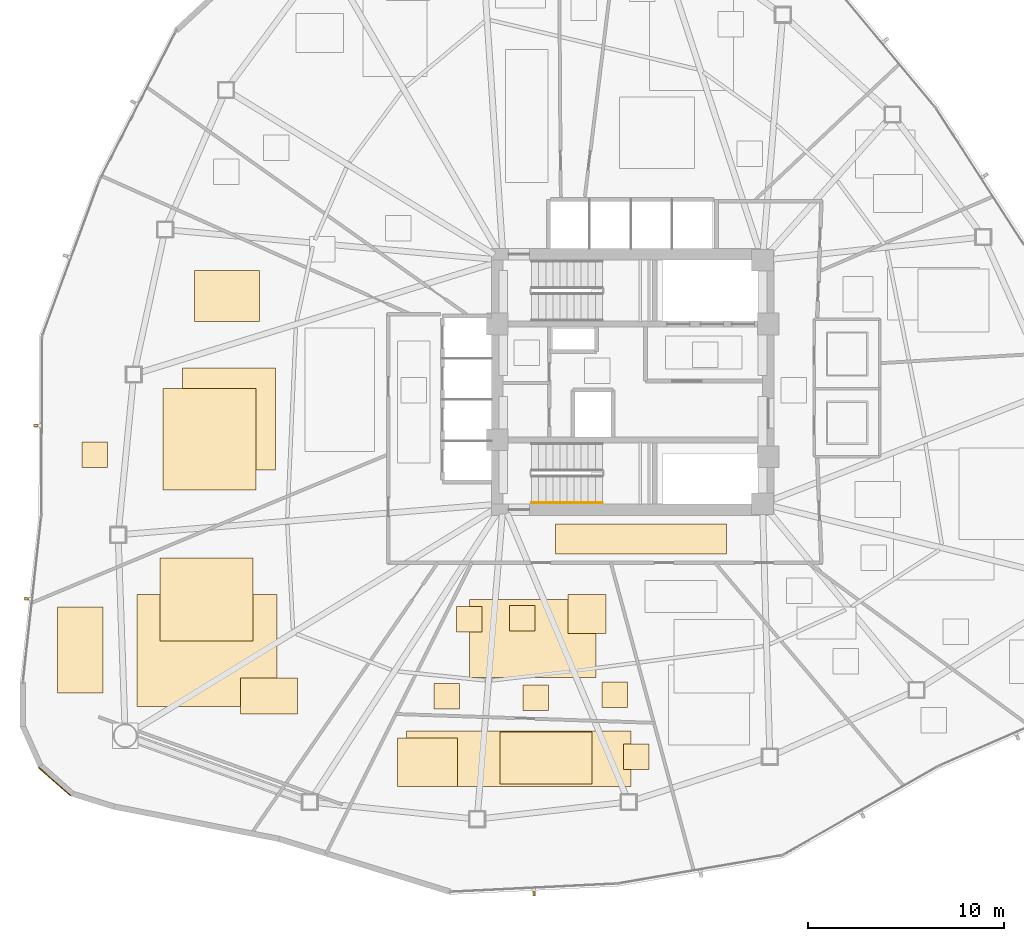
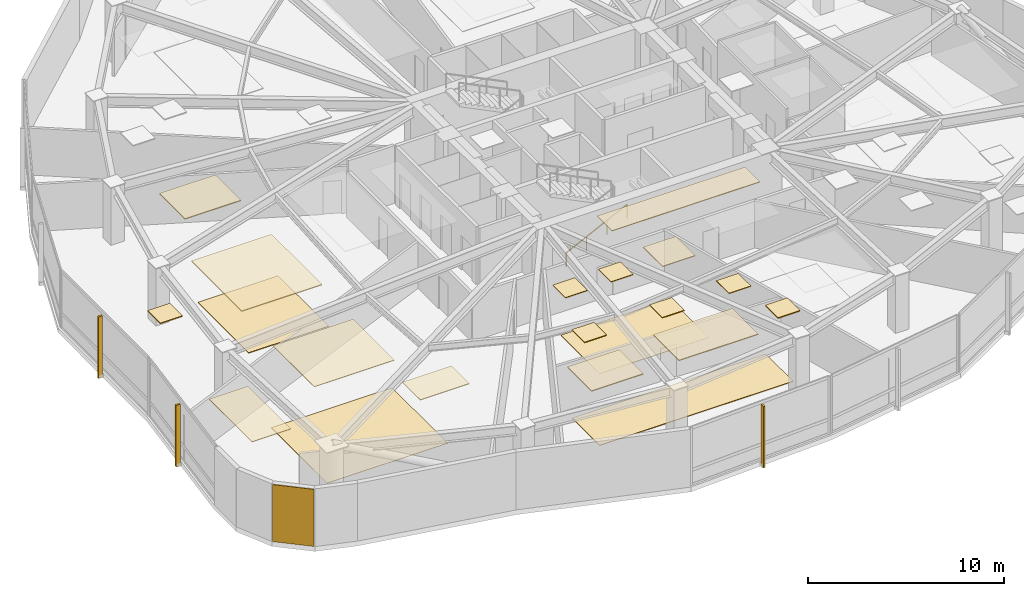
# One storey, part 15 of 18: 21 coverings, 3 shading devices, 1 railing.
"""IFC4 building model written with IfcOpenShell, lengths in metres."""

from ifc_helpers import new_model, si_unit, direction, frame, origin, origin_2d, place, context, subcontext, project, spatial, polyline, rectangle, outline, extrude, source, transform, mapped, material, layer, layer_set, type_object, type_shapes, element, save


model = new_model("IFC4")

# Units and contexts
model_context = context("Model", 3, precision=1e-05, world=origin(), true_north=direction((0.0, 1.0)))
body_context = subcontext(model_context, "Body", "Model", "MODEL_VIEW")
ifc_project = project(units=[si_unit("LENGTHUNIT", "METRE"), si_unit("AREAUNIT", "SQUARE_METRE"), si_unit("VOLUMEUNIT", "CUBIC_METRE"), si_unit("PLANEANGLEUNIT", "RADIAN"), si_unit("MASSUNIT", "GRAM", prefix="KILO")], contexts=[model_context])

# Site, building, storey
site_placement = place(None, origin())
site = spatial("IfcSite", under=ifc_project, at=site_placement, CompositionType="ELEMENT")
building_placement = place(site_placement, origin())
building = spatial("IfcBuilding", under=site, at=building_placement, Name="Tavelor Broadcast Tower", CompositionType="ELEMENT")
storey_placement = place(building_placement, frame((0.0, 0.0, 51.0)))
storey = spatial("IfcBuildingStorey", under=building, at=storey_placement, Name="L11", CompositionType="ELEMENT", Elevation=51.0)

# Coverings
ifc_material_1 = material(Name="Copper-Bronze Anodized Aluminium", Category="aluminium")
ifc_layer_1 = layer(ifc_material_1, 0.044921875)
ifc_layer_set_1 = layer_set([ifc_layer_1], Name="Copper-Bronze Anodized Aluminium")
covering_type_1 = type_object("IfcCoveringType", Name="Anodised Bronze Linear Slatted Concourse Ceiling 45 mm", PredefinedType="CEILING", material=ifc_layer_set_1)
covering_1_placement = place(storey_placement, frame((0.0, 0.0, 3.554931640625)))
element("IfcCovering", 1, at=covering_1_placement, inside=storey, type_object=covering_type_1, Name="L11 Suspended Acoustic Ceiling 0392", PredefinedType="CEILING", context=body_context, shape_type="SweptSolid", body=[
    extrude(outline(polyline([(46.05078125, 36.23828125), (54.776611328125, 36.23828125), (54.776611328125, 37.76171875), (46.05078125, 37.76171875), (46.05078125, 36.23828125)])), origin(), (0.0, 0.0, 1.0), 0.045166015625),
])
ifc_layer_2 = layer(ifc_material_1, 0.050048828125)
ifc_layer_set_2 = layer_set([ifc_layer_2], Name="Copper-Bronze Anodized Aluminium")
covering_type_2 = type_object("IfcCoveringType", Name="Champagne-Bronze Corner Pier Metal Cladding 50 mm", PredefinedType="CLADDING", material=ifc_layer_set_2)
covering_2_placement = place(storey_placement, frame((20.55908203125, 24.65576171875, 0.02001953125), z_axis=(0.0, 0.0, 1.0), x_axis=(0.748377190605, -0.66327338299, 0.0)))
element("IfcCovering", 2, at=covering_2_placement, inside=storey, type_object=covering_type_2, Name="L11 Champagne-Bronze Corner Cladding 13", PredefinedType="CLADDING", context=body_context, shape_type="SweptSolid", body=[
    extrude(rectangle(XDim=2.146240234375, YDim=0.050048828125, at=origin_2d()), origin(), (0.0, 0.0, 1.0), 3.56005859375),
])

# Railing
ifc_material_2 = material(Name="Steel S355", Category="steel")
railing_type = type_object("IfcRailingType", Name="Continuous Brushed Stainless Handrail 900 mm", PredefinedType="HANDRAIL", material=ifc_material_2)
railing_placement = place(storey_placement, frame((44.85009765625, 38.85009765625, 0.17724609375)))
element("IfcRailing", 3, at=railing_placement, inside=storey, type_object=railing_type, Name="L11 ST2 stair handrail 1", PredefinedType="HANDRAIL", context=body_context, shape_type="SweptSolid", body=[
    extrude(rectangle(XDim=0.048095703125, YDim=0.048095703125, at=origin_2d()), frame((0.0, 0.0, 0.8759765625), z_axis=(0.897124305991, 0.0, 0.441778201817), x_axis=(0.0, 1.0, 0.0)), (0.0, 0.0, 1.0), 4.0126953125),
    extrude(rectangle(XDim=0.0419921875, YDim=0.0419921875, at=origin_2d()), origin(), (0.0, 0.0, 1.0), 0.851806640625),
    extrude(rectangle(XDim=0.0419921875, YDim=0.0419921875, at=origin_2d()), frame((1.199951171875, 0.0, 0.5908203125)), (0.0, 0.0, 1.0), 0.851806640625),
    extrude(rectangle(XDim=0.0419921875, YDim=0.0419921875, at=origin_2d()), frame((2.39990234375, 0.0, 1.181884765625)), (0.0, 0.0, 1.0), 0.851806640625),
    extrude(rectangle(XDim=0.0419921875, YDim=0.0419921875, at=origin_2d()), frame((3.599853515625, 0.0, 1.772705078125)), (0.0, 0.0, 1.0), 0.851806640625),
])

# Coverings
ifc_material_3 = material(Name="Acoustic Nylon Carpet Tile")
ifc_layer_3 = layer(ifc_material_3, 0.02001953125)
ifc_layer_set_3 = layer_set([ifc_layer_3], Name="Acoustic Nylon Carpet Tile")
covering_type_3 = type_object("IfcCoveringType", Name="Heavy-Duty Acoustic Broadcast Carpet Tile 20 mm", PredefinedType="FLOORING", material=ifc_layer_set_3)
covering_3_placement = place(storey_placement, origin())
element("IfcCovering", 4, at=covering_3_placement, inside=storey, type_object=covering_type_3, Name="L11 Broadcast Floor Finish 0142", PredefinedType="FLOORING", context=body_context, shape_type="SweptSolid", body=[
    extrude(outline(polyline([(24.75048828125, 28.469482421875), (31.877197265625, 28.469482421875), (31.877197265625, 34.177001953125), (24.75048828125, 34.177001953125), (24.75048828125, 28.469482421875)])), origin(), (0.0, 0.0, 1.0), 0.02001953125),
])
covering_4_placement = place(storey_placement, origin())
element("IfcCovering", 5, at=covering_4_placement, inside=storey, type_object=covering_type_3, Name="L11 Broadcast Floor Finish 0153", PredefinedType="FLOORING", context=body_context, shape_type="SweptSolid", body=[
    extrude(outline(polyline([(41.68017578125, 29.952880859375), (48.125244140625, 29.952880859375), (48.125244140625, 33.916015625), (41.68017578125, 33.916015625), (41.68017578125, 29.952880859375)])), origin(), (0.0, 0.0, 1.0), 0.02001953125),
])
ifc_material_4 = material(Name="Acoustic Hardwood Studio Flooring", Category="wood")
ifc_layer_4 = layer(ifc_material_4, 0.034912109375)
ifc_layer_set_4 = layer_set([ifc_layer_4], Name="Acoustic Hardwood Studio Flooring")
covering_type_4 = type_object("IfcCoveringType", Name="Isolated Studio Acoustic Elastomeric Floor Finish 35 mm", PredefinedType="FLOORING", material=ifc_layer_set_4)
covering_5_placement = place(storey_placement, origin())
element("IfcCovering", 6, at=covering_5_placement, inside=storey, type_object=covering_type_4, Name="L11 Broadcast Floor Finish 0141", PredefinedType="FLOORING", context=body_context, shape_type="SweptSolid", body=[
    extrude(outline(polyline([(38.484130859375, 24.411865234375), (49.9072265625, 24.411865234375), (49.9072265625, 27.22509765625), (38.484130859375, 27.22509765625), (38.484130859375, 24.411865234375)])), origin(), (0.0, 0.0, 1.0), 0.034912109375),
])
covering_6_placement = place(storey_placement, origin())
element("IfcCovering", 7, at=covering_6_placement, inside=storey, type_object=covering_type_4, Name="L11 Broadcast Floor Finish 0143", PredefinedType="FLOORING", context=body_context, shape_type="SweptSolid", body=[
    extrude(outline(polyline([(27.08251953125, 40.51708984375), (31.81103515625, 40.51708984375), (31.81103515625, 45.704345703125), (27.08251953125, 45.704345703125), (27.08251953125, 40.51708984375)])), origin(), (0.0, 0.0, 1.0), 0.034912109375),
])
ifc_material_5 = material(Name="Acoustic Perforated Timber Baffle", Category="wood")
ifc_layer_5 = layer(ifc_material_5, 0.054931640625)
ifc_layer_set_5 = layer_set([ifc_layer_5], Name="Acoustic Perforated Timber Baffle")
covering_type_5 = type_object("IfcCoveringType", Name="Micro-Perforated Acoustic Baffle Studio Ceiling 55 mm", PredefinedType="CEILING", material=ifc_layer_set_5)
covering_7_placement = place(storey_placement, frame((0.0, 0.0, 3.544921875)))
element("IfcCovering", 8, at=covering_7_placement, inside=storey, type_object=covering_type_5, Name="L11 Suspended Acoustic Ceiling 0396", PredefinedType="CEILING", context=body_context, shape_type="SweptSolid", body=[
    extrude(outline(polyline([(38.0087890625, 24.4091796875), (41.0703125, 24.4091796875), (41.0703125, 26.88232421875), (38.0087890625, 26.88232421875), (38.0087890625, 24.4091796875)])), origin(), (0.0, 0.0, 1.0), 0.05517578125),
])
covering_8_placement = place(storey_placement, frame((0.0, 0.0, 3.544921875)))
element("IfcCovering", 9, at=covering_8_placement, inside=storey, type_object=covering_type_5, Name="L11 Suspended Acoustic Ceiling 0397", PredefinedType="CEILING", context=body_context, shape_type="SweptSolid", body=[
    extrude(outline(polyline([(43.2421875, 24.53662109375), (47.915283203125, 24.53662109375), (47.915283203125, 27.181640625), (43.2421875, 27.181640625), (43.2421875, 24.53662109375)])), origin(), (0.0, 0.0, 1.0), 0.05517578125),
])
covering_9_placement = place(storey_placement, frame((0.0, 0.0, 3.544921875)))
element("IfcCovering", 10, at=covering_9_placement, inside=storey, type_object=covering_type_5, Name="L11 Suspended Acoustic Ceiling 0398", PredefinedType="CEILING", context=body_context, shape_type="SweptSolid", body=[
    extrude(outline(polyline([(49.51611328125, 25.28173828125), (50.816162109375, 25.28173828125), (50.816162109375, 26.581787109375), (49.51611328125, 26.581787109375), (49.51611328125, 25.28173828125)])), origin(), (0.0, 0.0, 1.0), 0.05517578125),
])
covering_10_placement = place(storey_placement, frame((0.0, 0.0, 3.544921875)))
element("IfcCovering", 11, at=covering_10_placement, inside=storey, type_object=covering_type_5, Name="L11 Suspended Acoustic Ceiling 0402", PredefinedType="CEILING", context=body_context, shape_type="SweptSolid", body=[
    extrude(outline(polyline([(21.951171875, 40.648681640625), (23.251220703125, 40.648681640625), (23.251220703125, 41.94873046875), (21.951171875, 41.94873046875), (21.951171875, 40.648681640625)])), origin(), (0.0, 0.0, 1.0), 0.05517578125),
])
covering_11_placement = place(storey_placement, frame((0.0, 0.0, 3.544921875)))
element("IfcCovering", 12, at=covering_11_placement, inside=storey, type_object=covering_type_5, Name="L11 Suspended Acoustic Ceiling 0403", PredefinedType="CEILING", context=body_context, shape_type="SweptSolid", body=[
    extrude(outline(polyline([(27.68701171875, 48.0703125), (30.99267578125, 48.0703125), (30.99267578125, 50.6865234375), (27.68701171875, 50.6865234375), (27.68701171875, 48.0703125)])), origin(), (0.0, 0.0, 1.0), 0.05517578125),
])
covering_12_placement = place(storey_placement, frame((0.0, 0.0, 3.544921875)))
element("IfcCovering", 13, at=covering_12_placement, inside=storey, type_object=covering_type_5, Name="L11 Suspended Acoustic Ceiling 0405", PredefinedType="CEILING", context=body_context, shape_type="SweptSolid", body=[
    extrude(outline(polyline([(26.092041015625, 39.504638671875), (30.827392578125, 39.504638671875), (30.827392578125, 44.6689453125), (26.092041015625, 44.6689453125), (26.092041015625, 39.504638671875)])), origin(), (0.0, 0.0, 1.0), 0.05517578125),
])
ifc_material_6 = material(Name="Acoustic Mineral Fibre Tile")
ifc_layer_6 = layer(ifc_material_6, 0.0400390625)
ifc_layer_set_6 = layer_set([ifc_layer_6], Name="Acoustic Mineral Fibre Tile")
covering_type_6 = type_object("IfcCoveringType", Name="Suspended Acoustic Mineral-Fibre Office Ceiling 40 mm", PredefinedType="CEILING", material=ifc_layer_set_6)
covering_13_placement = place(storey_placement, frame((0.0, 0.0, 3.56005859375)))
element("IfcCovering", 14, at=covering_13_placement, inside=storey, type_object=covering_type_6, Name="L11 Suspended Acoustic Ceiling 0399", PredefinedType="CEILING", context=body_context, shape_type="SweptSolid", body=[
    extrude(outline(polyline([(20.72021484375, 29.155517578125), (23.017578125, 29.155517578125), (23.017578125, 33.548095703125), (20.72021484375, 33.548095703125), (20.72021484375, 29.155517578125)])), origin(), (0.0, 0.0, 1.0), 0.0400390625),
])
covering_14_placement = place(storey_placement, frame((0.0, 0.0, 3.56005859375)))
element("IfcCovering", 15, at=covering_14_placement, inside=storey, type_object=covering_type_6, Name="L11 Suspended Acoustic Ceiling 0400", PredefinedType="CEILING", context=body_context, shape_type="SweptSolid", body=[
    extrude(outline(polyline([(25.927490234375, 31.820556640625), (30.66064453125, 31.820556640625), (30.66064453125, 36.034423828125), (25.927490234375, 36.034423828125), (25.927490234375, 31.820556640625)])), origin(), (0.0, 0.0, 1.0), 0.0400390625),
])
covering_15_placement = place(storey_placement, frame((0.0, 0.0, 3.56005859375)))
element("IfcCovering", 16, at=covering_15_placement, inside=storey, type_object=covering_type_6, Name="L11 Suspended Acoustic Ceiling 0401", PredefinedType="CEILING", context=body_context, shape_type="SweptSolid", body=[
    extrude(outline(polyline([(30.031982421875, 28.092529296875), (32.919921875, 28.092529296875), (32.919921875, 29.917724609375), (30.031982421875, 29.917724609375), (30.031982421875, 28.092529296875)])), origin(), (0.0, 0.0, 1.0), 0.0400390625),
])
covering_16_placement = place(storey_placement, frame((0.0, 0.0, 3.56005859375)))
element("IfcCovering", 17, at=covering_16_placement, inside=storey, type_object=covering_type_6, Name="L11 Suspended Acoustic Ceiling 0434", PredefinedType="CEILING", context=body_context, shape_type="SweptSolid", body=[
    extrude(outline(polyline([(39.864990234375, 28.3408203125), (41.1650390625, 28.3408203125), (41.1650390625, 29.640869140625), (39.864990234375, 29.640869140625), (39.864990234375, 28.3408203125)])), origin(), (0.0, 0.0, 1.0), 0.0400390625),
])
covering_17_placement = place(storey_placement, frame((0.0, 0.0, 3.56005859375)))
element("IfcCovering", 18, at=covering_17_placement, inside=storey, type_object=covering_type_6, Name="L11 Suspended Acoustic Ceiling 0435", PredefinedType="CEILING", context=body_context, shape_type="SweptSolid", body=[
    extrude(outline(polyline([(41.010498046875, 32.26953125), (42.310546875, 32.26953125), (42.310546875, 33.569580078125), (41.010498046875, 33.569580078125), (41.010498046875, 32.26953125)])), origin(), (0.0, 0.0, 1.0), 0.0400390625),
])
covering_18_placement = place(storey_placement, frame((0.0, 0.0, 3.56005859375)))
element("IfcCovering", 19, at=covering_18_placement, inside=storey, type_object=covering_type_6, Name="L11 Suspended Acoustic Ceiling 0436", PredefinedType="CEILING", context=body_context, shape_type="SweptSolid", body=[
    extrude(outline(polyline([(43.7255859375, 32.3271484375), (45.025634765625, 32.3271484375), (45.025634765625, 33.627197265625), (43.7255859375, 33.627197265625), (43.7255859375, 32.3271484375)])), origin(), (0.0, 0.0, 1.0), 0.0400390625),
])
covering_19_placement = place(storey_placement, frame((0.0, 0.0, 3.56005859375)))
element("IfcCovering", 20, at=covering_19_placement, inside=storey, type_object=covering_type_6, Name="L11 Suspended Acoustic Ceiling 0437", PredefinedType="CEILING", context=body_context, shape_type="SweptSolid", body=[
    extrude(outline(polyline([(46.691650390625, 32.1962890625), (48.6328125, 32.1962890625), (48.6328125, 34.181884765625), (46.691650390625, 34.181884765625), (46.691650390625, 32.1962890625)])), origin(), (0.0, 0.0, 1.0), 0.0400390625),
])
covering_20_placement = place(storey_placement, frame((0.0, 0.0, 3.56005859375)))
element("IfcCovering", 21, at=covering_20_placement, inside=storey, type_object=covering_type_6, Name="L11 Suspended Acoustic Ceiling 0438", PredefinedType="CEILING", context=body_context, shape_type="SweptSolid", body=[
    extrude(outline(polyline([(48.431884765625, 28.4248046875), (49.731689453125, 28.4248046875), (49.731689453125, 29.724609375), (48.431884765625, 29.724609375), (48.431884765625, 28.4248046875)])), origin(), (0.0, 0.0, 1.0), 0.0400390625),
])
covering_21_placement = place(storey_placement, frame((0.0, 0.0, 3.56005859375)))
element("IfcCovering", 22, at=covering_21_placement, inside=storey, type_object=covering_type_6, Name="L11 Suspended Acoustic Ceiling 0439", PredefinedType="CEILING", context=body_context, shape_type="SweptSolid", body=[
    extrude(outline(polyline([(44.412109375, 28.26513671875), (45.712158203125, 28.26513671875), (45.712158203125, 29.565185546875), (44.412109375, 29.565185546875), (44.412109375, 28.26513671875)])), origin(), (0.0, 0.0, 1.0), 0.0400390625),
])

# Shading devices
ifc_material_7 = material(Name="Kiln-Fired Glazed Terracotta", Category="masonry")
shading_device_type = type_object("IfcShadingDeviceType", Name="Extruded Terracotta Baguette Sun-Screen 110x240", PredefinedType="JALOUSIE", material=ifc_material_7)
shared_shape = source(origin(), body_context, "Body", "SweptSolid", [
    extrude(rectangle(XDim=0.110107421875, YDim=0.239990234375, at=origin_2d()), origin(), (0.0, 0.0, 1.0), 3.840087890625),
])
type_shapes(shading_device_type, [shared_shape])
for number, where, z_axis, x_axis, name in (
    (23, (19.607421875, 42.77880859375, -0.26025390625), (0.0, 0.0, 1.0), (-0.004363309285, -0.999990480721, 0.0), "L11 Terracotta Baguette Fin 87"),
    (24, (19.117431640625, 33.96337890625, -0.26025390625), (0.0, 0.0, 1.0), (-0.110081262225, -0.9939225904, 0.0), "L11 Terracotta Baguette Fin 88"),
    (25, (44.972900390625, 18.9501953125, -0.26025390625), (0.0, 0.0, 1.0), (0.998789024705, 0.049198415926, 0.0), "L11 Terracotta Baguette Fin 89"),
):
    element("IfcShadingDevice", number, at=place(storey_placement, frame(where, z_axis=z_axis, x_axis=x_axis)), inside=storey, type_object=shading_device_type, Name=name, PredefinedType="JALOUSIE", context=body_context, shape_type="MappedRepresentation", body=[
        mapped(shared_shape, transform((0.0, 0.0, 0.0), scale=1.0)),
    ])

save(model, "model.ifc")
